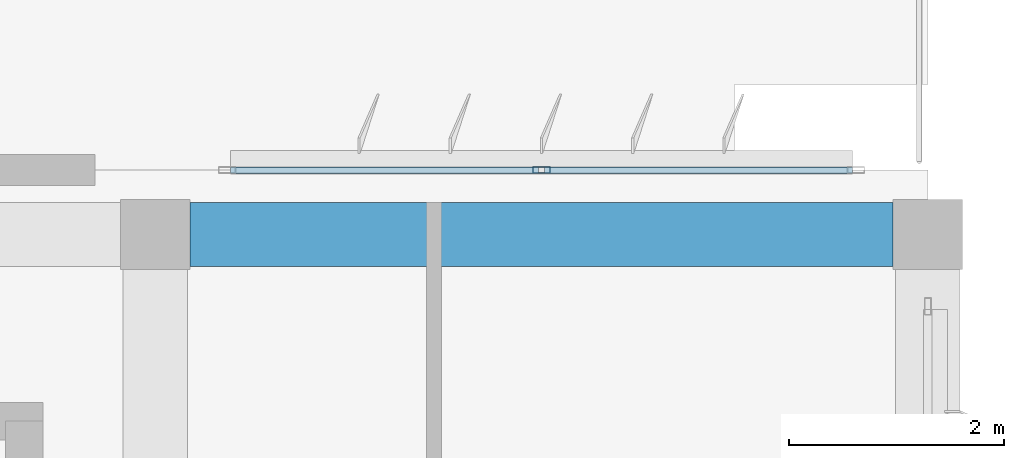
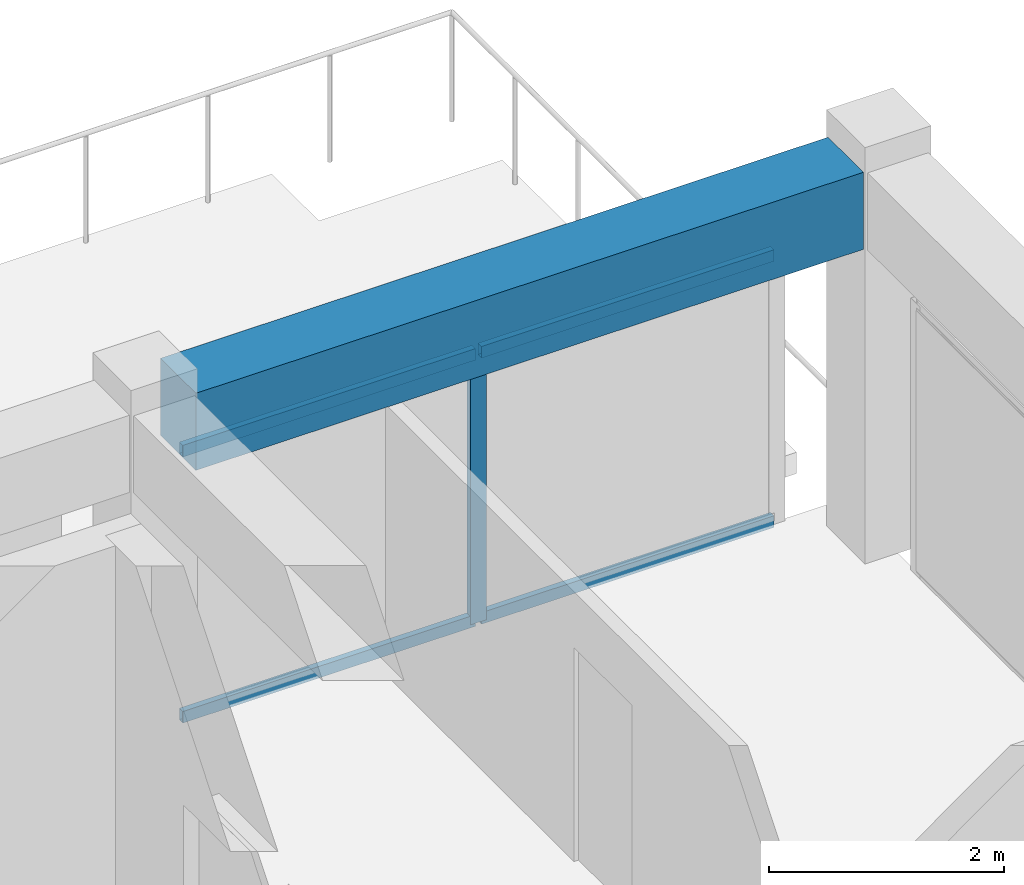
# One storey, part 23 of 42: 5 members, 1 beam, 1 element without a shape of its own.
"""IFC4 building model written with IfcOpenShell, lengths in metres."""

from ifc_helpers import new_model, si_unit, direction, frame, origin, origin_2d, place, context, subcontext, project, spatial, rectangle, hollow_rectangle, extrude, material, material_profile, profile_set, type_object, element, aggregate, save


model = new_model("IFC4")

# Units and contexts
model_context = context("Model", 3, precision=1e-05, world=origin(), true_north=direction((0.0, 1.0)))
body_context = subcontext(model_context, "Body", "Model", "MODEL_VIEW")
ifc_project = project(units=[si_unit("LENGTHUNIT", "METRE"), si_unit("AREAUNIT", "SQUARE_METRE"), si_unit("VOLUMEUNIT", "CUBIC_METRE"), si_unit("PLANEANGLEUNIT", "RADIAN"), si_unit("MASSUNIT", "GRAM", prefix="KILO")], contexts=[model_context])

# Site, building, storey
site_placement = place(None, origin())
site = spatial("IfcSite", under=ifc_project, at=site_placement, CompositionType="ELEMENT")
building_placement = place(site_placement, origin())
building = spatial("IfcBuilding", under=site, at=building_placement, Name="Kazehaya Institute of Natural Sciences", CompositionType="ELEMENT")
storey_placement = place(building_placement, frame((0.0, 0.0, 37.6201171875)))
storey = spatial("IfcBuildingStorey", under=building, at=storey_placement, Name="L08", CompositionType="ELEMENT", Elevation=37.6201171875)

# Beam
ifc_material_1 = material(Name="Concrete Fc36", Category="concrete")
ifc_material_profile_1 = material_profile(ifc_material_1, rectangle(XDim=0.60009765625, YDim=0.800048828125, at=origin_2d()), Name="RC-600x800")
ifc_profile_set_1 = profile_set([ifc_material_profile_1], Name="Concrete Fc36")
beam_type = type_object("IfcBeamType", Name="BM-G-600x800", PredefinedType="BEAM", material=ifc_profile_set_1)
beam_placement = place(storey_placement, frame((112.52490234375, 28.39990234375, 3.64990234375), z_axis=(1.0, 0.0, 0.0), x_axis=(0.0, 1.0, 0.0)))
element("IfcBeam", 1, at=beam_placement, inside=storey, type_object=beam_type, Name="L08 primary X girder BMX-L08-1122-284", PredefinedType="BEAM", context=body_context, shape_type="SweptSolid", body=[
    extrude(rectangle(XDim=0.60009765625, YDim=0.800048828125, at=origin_2d()), origin(), (0.0, 0.0, 1.0), 6.550048828125),
])

# Curtain wall, members
ifc_material_2 = material(Name="Aluminium alloy A6063S-T5", Category="aluminium")
curtain_wall_type = type_object("IfcCurtainWallType", Name="CW-SYS-05", PredefinedType="NOTDEFINED", material=ifc_material_2)
curtain_wall_placement = place(storey_placement, origin())
curtain_wall = element("IfcCurtainWall", 2, at=curtain_wall_placement, inside=storey, type_object=curtain_wall_type, Name="L08 unitised curtain wall CW-L08-192", PredefinedType="NOTDEFINED")
ifc_material_profile_2 = material_profile(ifc_material_2, hollow_rectangle(XDim=0.06005859375, YDim=0.159912109375, WallThickness=0.00390625, at=origin_2d()), Name="ALU-60x160x4")
ifc_profile_set_2 = profile_set([ifc_material_profile_2], Name="Aluminium alloy A6063S-T5")
member_type_1 = type_object("IfcMemberType", Name="CWM-160", PredefinedType="MULLION", material=ifc_profile_set_2)
member_1_placement = place(storey_placement, frame((115.800048828125, 29.0, 0.0), z_axis=(0.0, 0.0, 1.0), x_axis=(0.0, 1.0, 0.0)))
member_1 = element("IfcMember", 3, at=member_1_placement, type_object=member_type_1, Name="CW05 mullion 2", PredefinedType="MULLION", context=body_context, shape_type="SweptSolid", body=[
    extrude(hollow_rectangle(XDim=0.06005859375, YDim=0.159912109375, WallThickness=0.00390625, at=origin_2d()), origin(), (0.0, 0.0, 1.0), 2.81982421875),
])
ifc_material_profile_3 = material_profile(ifc_material_2, hollow_rectangle(XDim=0.06005859375, YDim=0.1201171875, WallThickness=0.00341796875, at=origin_2d()), Name="ALU-60x120x3.5")
ifc_profile_set_3 = profile_set([ifc_material_profile_3], Name="Aluminium alloy A6063S-T5")
member_type_2 = type_object("IfcMemberType", Name="CWT-120", PredefinedType="USERDEFINED", material=ifc_profile_set_3)
member_2_placement = place(storey_placement, frame((112.89990234375, 29.0, 0.02978515625), z_axis=(1.0, 0.0, 0.0), x_axis=(0.0, 1.0, 0.0)))
member_2 = element("IfcMember", 4, at=member_2_placement, type_object=member_type_2, Name="CW05 transom 1.1", ObjectType="TRANSOM", PredefinedType="USERDEFINED", context=body_context, shape_type="SweptSolid", body=[
    extrude(hollow_rectangle(XDim=0.06005859375, YDim=0.1201171875, WallThickness=0.00341796875, at=origin_2d()), origin(), (0.0, 0.0, 1.0), 2.8701171875),
])
member_3_placement = place(storey_placement, frame((112.89990234375, 29.0, 2.789794921875), z_axis=(1.0, 0.0, 0.0), x_axis=(0.0, 1.0, 0.0)))
member_3 = element("IfcMember", 5, at=member_3_placement, type_object=member_type_2, Name="CW05 transom 1.2", ObjectType="TRANSOM", PredefinedType="USERDEFINED", context=body_context, shape_type="SweptSolid", body=[
    extrude(hollow_rectangle(XDim=0.06005859375, YDim=0.1201171875, WallThickness=0.00341796875, at=origin_2d()), origin(), (0.0, 0.0, 1.0), 2.8701171875),
])
member_4_placement = place(storey_placement, frame((115.830078125, 29.0, 0.02978515625), z_axis=(1.0, 0.0, 0.0), x_axis=(0.0, 1.0, 0.0)))
member_4 = element("IfcMember", 6, at=member_4_placement, type_object=member_type_2, Name="CW05 transom 2.1", ObjectType="TRANSOM", PredefinedType="USERDEFINED", context=body_context, shape_type="SweptSolid", body=[
    extrude(hollow_rectangle(XDim=0.06005859375, YDim=0.1201171875, WallThickness=0.00341796875, at=origin_2d()), origin(), (0.0, 0.0, 1.0), 2.869873046875),
])
member_5_placement = place(storey_placement, frame((115.830078125, 29.0, 2.789794921875), z_axis=(1.0, 0.0, 0.0), x_axis=(0.0, 1.0, 0.0)))
member_5 = element("IfcMember", 7, at=member_5_placement, type_object=member_type_2, Name="CW05 transom 2.2", ObjectType="TRANSOM", PredefinedType="USERDEFINED", context=body_context, shape_type="SweptSolid", body=[
    extrude(hollow_rectangle(XDim=0.06005859375, YDim=0.1201171875, WallThickness=0.00341796875, at=origin_2d()), origin(), (0.0, 0.0, 1.0), 2.869873046875),
])
aggregate(curtain_wall, [member_1, member_2, member_3, member_4, member_5])

save(model, "model.ifc")
